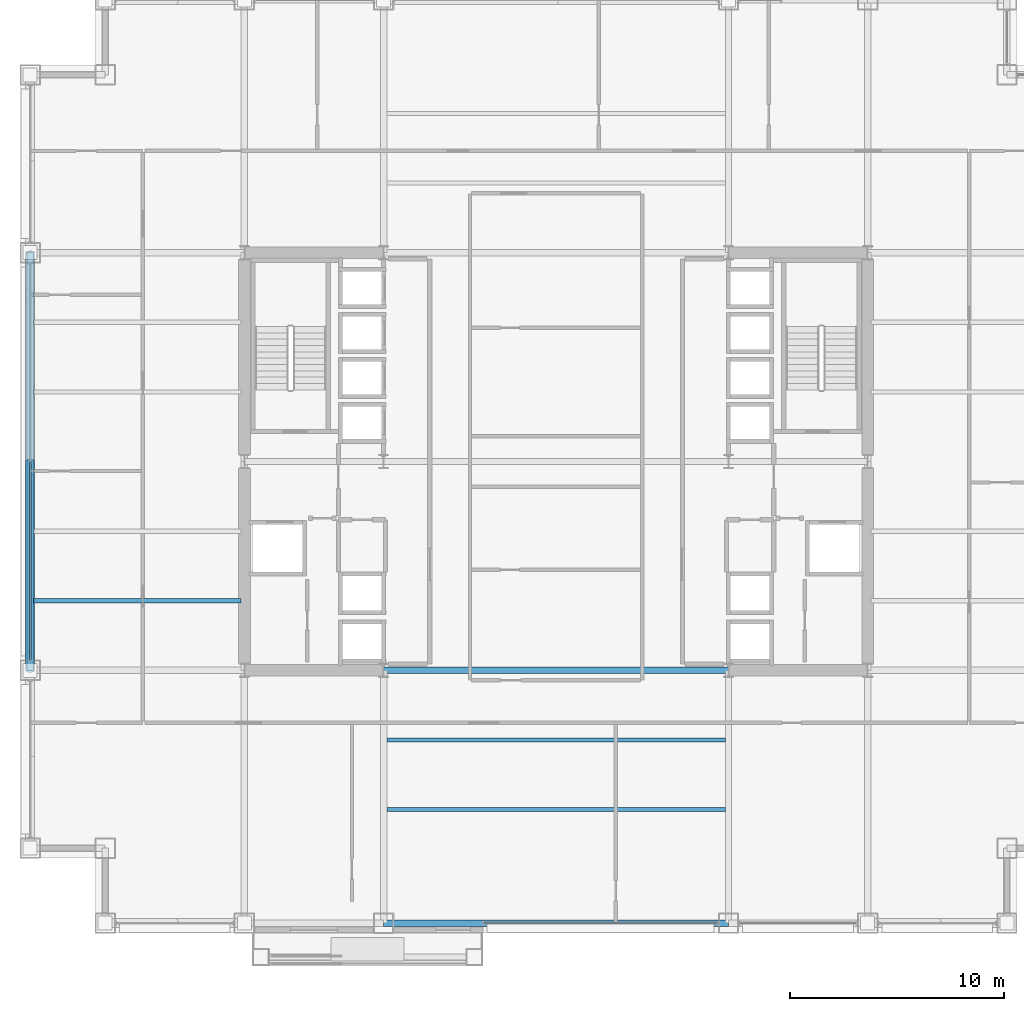
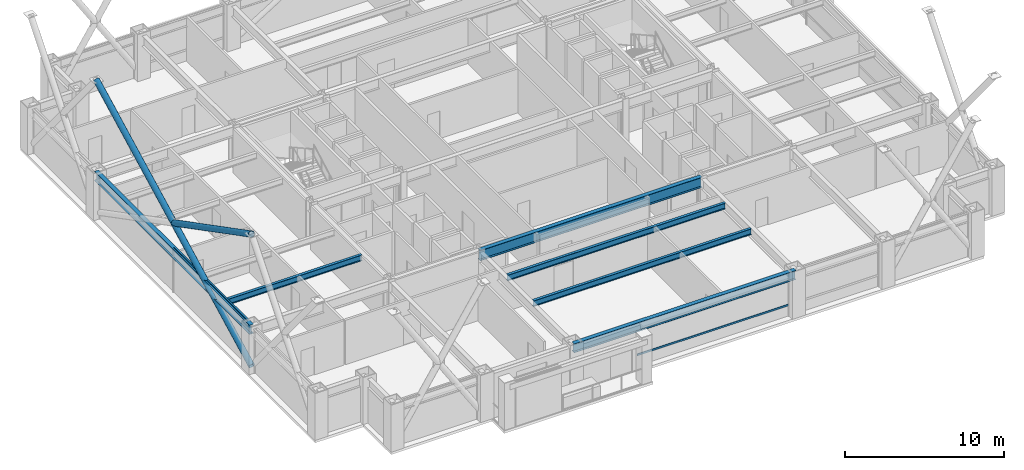
# One storey, part 8 of 34: 6 beams, 4 members, 2 elements without a shape of their own.
"""IFC4 building model written with IfcOpenShell, lengths in metres."""

from ifc_helpers import new_model, si_unit, direction, frame, origin, origin_2d, place, context, subcontext, project, spatial, hollow_rectangle, hollow_circle, i_section, extrude, material, layer, layer_set, material_profile, profile_set, type_object, element, aggregate, save


model = new_model("IFC4")

# Units and contexts
model_context = context("Model", 3, precision=1e-05, world=origin(), true_north=direction((0.0, 1.0)))
body_context = subcontext(model_context, "Body", "Model", "MODEL_VIEW")
ifc_project = project(units=[si_unit("LENGTHUNIT", "METRE"), si_unit("AREAUNIT", "SQUARE_METRE"), si_unit("VOLUMEUNIT", "CUBIC_METRE"), si_unit("PLANEANGLEUNIT", "RADIAN"), si_unit("MASSUNIT", "GRAM", prefix="KILO")], contexts=[model_context])

# Site, building, storey
site_placement = place(None, origin())
site = spatial("IfcSite", under=ifc_project, at=site_placement, CompositionType="ELEMENT")
building_placement = place(site_placement, origin())
building = spatial("IfcBuilding", under=site, at=building_placement, Name="Brelmoor Portico Tower", CompositionType="ELEMENT")
storey_placement = place(building_placement, frame((0.0, 0.0, 45.60009765625)))
storey = spatial("IfcBuildingStorey", under=building, at=storey_placement, Name="L11", CompositionType="ELEMENT", Elevation=45.60009765625)

# Beams
ifc_material_1 = material(Name="Steel Q355B", Category="steel")
ifc_material_profile_1 = material_profile(ifc_material_1, i_section(OverallWidth=0.199951171875, OverallDepth=0.449951171875, WebThickness=0.009033203125, FlangeThickness=0.013916015625, at=origin_2d()), Name="HN 450x200x9x14")
ifc_profile_set_1 = profile_set([ifc_material_profile_1], Name="Steel Q355B")
beam_type_1 = type_object("IfcBeamType", Name="BM-JS-450", PredefinedType="JOIST", material=ifc_profile_set_1)
for number, where, z_axis, x_axis, name in (
    (1, (-7.89990234375, -16.25, 3.1748046875), (1.0, 0.0, 0.0), (0.0, 1.0, 0.0), "L11 Secondary Composite Joist JS-C01"),
    (2, (-7.89990234375, -13.0, 3.1748046875), (1.0, 0.0, 0.0), (0.0, 1.0, 0.0), "L11 Secondary Composite Joist JS-C02"),
):
    element("IfcBeam", number, at=place(storey_placement, frame(where, z_axis=z_axis, x_axis=x_axis)), inside=storey, type_object=beam_type_1, Name=name, PredefinedType="JOIST", context=body_context, shape_type="SweptSolid", body=[
        extrude(i_section(OverallWidth=0.199951171875, OverallDepth=0.449951171875, WebThickness=0.009033203125, FlangeThickness=0.013916015625, at=origin_2d()), origin(), (0.0, 0.0, 1.0), 15.7998046875),
    ])
beam_1_placement = place(storey_placement, frame((-24.39990234375, -6.5, 3.1748046875), z_axis=(1.0, 0.0, 0.0), x_axis=(0.0, 1.0, 0.0)))
element("IfcBeam", 3, at=beam_1_placement, inside=storey, type_object=beam_type_1, Name="L11 Secondary Wing Joist JS-W05", PredefinedType="JOIST", context=body_context, shape_type="SweptSolid", body=[
    extrude(i_section(OverallWidth=0.199951171875, OverallDepth=0.449951171875, WebThickness=0.009033203125, FlangeThickness=0.013916015625, at=origin_2d()), origin(), (0.0, 0.0, 1.0), 9.699951171875),
])
ifc_material_profile_2 = material_profile(ifc_material_1, i_section(OverallWidth=0.300048828125, OverallDepth=0.800048828125, WebThickness=0.013916015625, FlangeThickness=0.02587890625, at=origin_2d()), Name="HN 800x300x14x26")
ifc_profile_set_2 = profile_set([ifc_material_profile_2], Name="Steel Q355B")
beam_type_2 = type_object("IfcBeamType", Name="BM-PG-800", PredefinedType="BEAM", material=ifc_profile_set_2)
beam_2_placement = place(storey_placement, frame((-8.050048828125, -9.75, 3.0), z_axis=(1.0, 0.0, 0.0), x_axis=(0.0, 1.0, 0.0)))
element("IfcBeam", 4, at=beam_2_placement, inside=storey, type_object=beam_type_2, Name="L11 Primary Floor Girder PG-21", PredefinedType="BEAM", context=body_context, shape_type="SweptSolid", body=[
    extrude(i_section(OverallWidth=0.300048828125, OverallDepth=0.800048828125, WebThickness=0.013916015625, FlangeThickness=0.02587890625, at=origin_2d()), origin(), (0.0, 0.0, 1.0), 16.10009765625),
])
ifc_material_profile_3 = material_profile(ifc_material_1, i_section(OverallWidth=0.300048828125, OverallDepth=0.699951171875, WebThickness=0.012939453125, FlangeThickness=0.02392578125, at=origin_2d()), Name="HN 700x300x13x24")
ifc_profile_set_3 = profile_set([ifc_material_profile_3], Name="Steel Q355B")
beam_type_3 = type_object("IfcBeamType", Name="BM-SP-700", PredefinedType="SPANDREL", material=ifc_profile_set_3)
beam_3_placement = place(storey_placement, frame((-8.050048828125, -21.550048828125, 3.0498046875), z_axis=(1.0, 0.0, 0.0), x_axis=(0.0, 1.0, 0.0)))
element("IfcBeam", 5, at=beam_3_placement, inside=storey, type_object=beam_type_3, Name="L11 Perimeter Spandrel Beam SP-03", PredefinedType="SPANDREL", context=body_context, shape_type="SweptSolid", body=[
    extrude(i_section(OverallWidth=0.300048828125, OverallDepth=0.699951171875, WebThickness=0.012939453125, FlangeThickness=0.02392578125, at=origin_2d()), origin(), (0.0, 0.0, 1.0), 16.10009765625),
])
beam_4_placement = place(storey_placement, frame((-24.550048828125, -9.75, 3.0498046875), z_axis=(0.0, 1.0, 0.0), x_axis=(-1.0, 0.0, 0.0)))
element("IfcBeam", 6, at=beam_4_placement, inside=storey, type_object=beam_type_3, Name="L11 Perimeter Spandrel Beam SP-16", PredefinedType="SPANDREL", context=body_context, shape_type="SweptSolid", body=[
    extrude(i_section(OverallWidth=0.300048828125, OverallDepth=0.699951171875, WebThickness=0.012939453125, FlangeThickness=0.02392578125, at=origin_2d()), origin(), (0.0, 0.0, 1.0), 19.5),
])

# Members
ifc_material_profile_4 = material_profile(ifc_material_1, hollow_circle(Radius=0.212890625, WallThickness=0.02001953125, at=origin_2d()), Name="CHS 426x20")
ifc_profile_set_4 = profile_set([ifc_material_profile_4], Name="Steel Q355B")
member_type_1 = type_object("IfcMemberType", Name="MB-BELT-DIAG1", PredefinedType="BRACE", material=ifc_profile_set_4)
member_1_placement = place(storey_placement, frame((-24.550048828125, -9.75, 0.25), z_axis=(0.0, 0.8879639262, 0.459913106758), x_axis=(-1.0, 0.0, 0.0)))
element("IfcMember", 7, at=member_1_placement, inside=storey, type_object=member_type_1, Name="L11 Continuous Mega-X Brace 022A", PredefinedType="BRACE", context=body_context, shape_type="SweptSolid", body=[
    extrude(hollow_circle(Radius=0.212890625, WallThickness=0.02001953125, at=origin_2d()), origin(), (0.0, 0.0, 1.0), 21.96044921875),
])
member_2_placement = place(storey_placement, frame((-24.550048828125, 0.0, 5.2998046875), z_axis=(0.0, -0.887959386012, 0.459921872488), x_axis=(1.0, 0.0, 0.0)))
element("IfcMember", 8, at=member_2_placement, inside=storey, type_object=member_type_1, Name="L11 Split Mega-X Brace 022B2", PredefinedType="BRACE", context=body_context, shape_type="SweptSolid", body=[
    extrude(hollow_circle(Radius=0.212890625, WallThickness=0.02001953125, at=origin_2d()), origin(), (0.0, 0.0, 1.0), 10.980224609375),
])

# Curtain wall, member
ifc_material_2 = material(Name="Anodised Aluminium Alloy 6063-T6", Category="aluminium")
ifc_layer_1 = layer(ifc_material_2, 0.179931640625)
ifc_layer_set_1 = layer_set([ifc_layer_1], Name="Anodised Aluminium Alloy 6063-T6")
curtain_wall_type_1 = type_object("IfcCurtainWallType", Name="CW-TOWER-Z1", PredefinedType="NOTDEFINED", material=ifc_layer_set_1)
curtain_wall_1_placement = place(storey_placement, origin())
curtain_wall_1 = element("IfcCurtainWall", 9, at=curtain_wall_1_placement, inside=storey, type_object=curtain_wall_type_1, Name="L11 Curtain Wall CW-L11-1R-1", PredefinedType="NOTDEFINED")
ifc_material_profile_5 = material_profile(ifc_material_2, hollow_rectangle(XDim=0.06494140625, YDim=0.139892578125, WallThickness=0.00390625, at=origin_2d()), Name="ALU TRANSOM 65x140")
ifc_profile_set_5 = profile_set([ifc_material_profile_5], Name="Anodised Aluminium Alloy 6063-T6")
member_type_2 = type_object("IfcMemberType", Name="MB-CW-TRAN-140", PredefinedType="USERDEFINED", material=ifc_profile_set_5)
member_3_placement = place(storey_placement, frame((-3.39990234375, -21.550048828125, 0.849853515625), z_axis=(1.0, 0.0, 0.0), x_axis=(0.0, 1.0, 0.0)))
member_3 = element("IfcMember", 10, at=member_3_placement, type_object=member_type_2, Name="CW-L11-1R-1 Transom 1-00", ObjectType="TRANSOM", PredefinedType="USERDEFINED", context=body_context, shape_type="SweptSolid", body=[
    extrude(hollow_rectangle(XDim=0.06494140625, YDim=0.139892578125, WallThickness=0.00390625, at=origin_2d()), origin(), (0.0, 0.0, 1.0), 10.96484375),
])
aggregate(curtain_wall_1, [member_3])

ifc_layer_2 = layer(ifc_material_2, 0.179931640625)
ifc_layer_set_2 = layer_set([ifc_layer_2], Name="Anodised Aluminium Alloy 6063-T6")
curtain_wall_type_2 = type_object("IfcCurtainWallType", Name="CW-TOWER-Z1-XB", PredefinedType="NOTDEFINED", material=ifc_layer_set_2)
curtain_wall_2_placement = place(storey_placement, origin())
curtain_wall_2 = element("IfcCurtainWall", 11, at=curtain_wall_2_placement, inside=storey, type_object=curtain_wall_type_2, Name="L11 Curtain Wall CW-L11-03-2", PredefinedType="NOTDEFINED")
member_4_placement = place(storey_placement, frame((-24.550048828125, -9.264892578125, 3.329833984375), z_axis=(0.0, 1.0, 0.0), x_axis=(-1.0, 0.0, 0.0)))
member_4 = element("IfcMember", 12, at=member_4_placement, type_object=member_type_2, Name="CW-L11-03-2 Transom 1-00", ObjectType="TRANSOM", PredefinedType="USERDEFINED", context=body_context, shape_type="SweptSolid", body=[
    extrude(hollow_rectangle(XDim=0.06494140625, YDim=0.139892578125, WallThickness=0.00390625, at=origin_2d()), origin(), (0.0, 0.0, 1.0), 9.264892578125),
])
aggregate(curtain_wall_2, [member_4])

save(model, "model.ifc")
